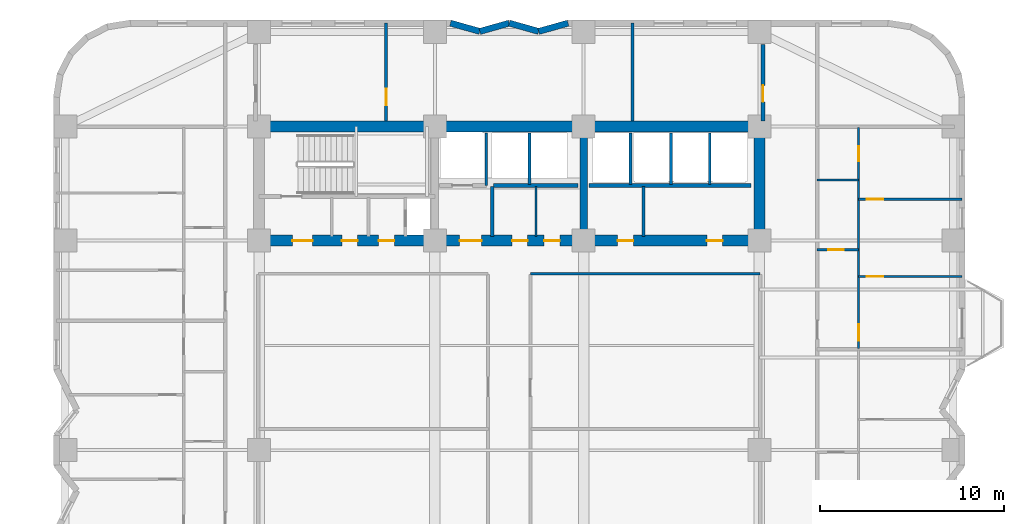
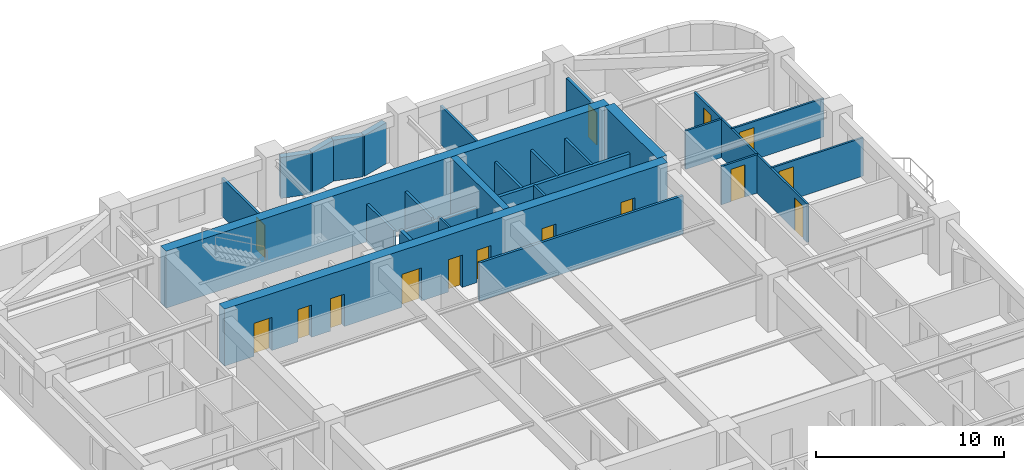
# One storey, part 7 of 10: 27 walls, 15 doors, 15 openings.
"""IFC4 building model written with IfcOpenShell, lengths in metres."""

from ifc_helpers import new_model, si_unit, direction, frame, frame_2d, origin, place, context, subcontext, project, spatial, rectangle, extrude, material, layer, layer_set, type_object, element, fill, save


model = new_model("IFC4")

# Units and contexts
model_context = context("Model", 3, precision=1e-05, world=origin(), true_north=direction((0.0, 1.0)))
body_context = subcontext(model_context, "Body", "Model", "MODEL_VIEW")
ifc_project = project(units=[si_unit("LENGTHUNIT", "METRE"), si_unit("AREAUNIT", "SQUARE_METRE"), si_unit("VOLUMEUNIT", "CUBIC_METRE"), si_unit("PLANEANGLEUNIT", "RADIAN"), si_unit("MASSUNIT", "GRAM", prefix="KILO")], contexts=[model_context])

# Site, building, storey
site_placement = place(None, origin())
site = spatial("IfcSite", under=ifc_project, at=site_placement, CompositionType="ELEMENT")
building_placement = place(site_placement, origin())
building = spatial("IfcBuilding", under=site, at=building_placement, Name="Svetorya Sky Lyceum", CompositionType="ELEMENT")
storey_placement = place(building_placement, frame((0.0, 0.0, 73.199951171875)))
storey = spatial("IfcBuildingStorey", under=building, at=storey_placement, Name="L18", CompositionType="ELEMENT", Elevation=73.199951171875)

# Walls
ifc_material_1 = material(Name="Concrete C40/50", Category="concrete")
ifc_layer_1 = layer(ifc_material_1, 0.39990234375)
ifc_layer_set_1 = layer_set([ifc_layer_1], Name="Concrete C40/50")
wall_type_1 = type_object("IfcWallType", Name="WL-CORE-400", PredefinedType="SHEAR", material=ifc_layer_set_1)
wall_1_placement = place(storey_placement, frame((43.25, 39.89990234375, 0.0), z_axis=(0.0, 0.0, 1.0), x_axis=(0.0, 1.0, 0.0)))
element("IfcWall", 1, at=wall_1_placement, inside=storey, type_object=wall_type_1, Name="L18 NC Internal Shear Web WEB2", PredefinedType="SHEAR", context=body_context, shape_type="SweptSolid", body=[
    extrude(rectangle(XDim=5.60009765625, YDim=0.39990234375, at=frame_2d((2.800048828125, 0.0))), origin(), (0.0, 0.0, 1.0), 3.699951171875),
])
ifc_material_2 = material(Name="Concrete C60/75", Category="concrete")
ifc_layer_2 = layer(ifc_material_2, 0.60009765625)
ifc_layer_set_2 = layer_set([ifc_layer_2], Name="Concrete C60/75")
wall_type_2 = type_object("IfcWallType", Name="WL-CORE-600", PredefinedType="SHEAR", material=ifc_layer_set_2)
wall_2_placement = place(storey_placement, frame((25.60009765625, 45.800048828125, 0.0), z_axis=(0.0, 0.0, 1.0), x_axis=(1.0, 0.0, 0.0)))
element("IfcWall", 2, at=wall_2_placement, inside=storey, type_object=wall_type_2, Name="L18 NC Outer Core Shear Wall", PredefinedType="SHEAR", context=body_context, shape_type="SweptSolid", body=[
    extrude(rectangle(XDim=27.199951171875, YDim=0.60009765625, at=frame_2d((13.60009765625, 0.0))), origin(), (0.0, 0.0, 1.0), 3.699951171875),
])
wall_3_placement = place(storey_placement, frame((52.800048828125, 39.89990234375, 0.0), z_axis=(0.0, 0.0, 1.0), x_axis=(0.0, 1.0, 0.0)))
element("IfcWall", 3, at=wall_3_placement, inside=storey, type_object=wall_type_2, Name="L18 NC East Core Shear Wall", PredefinedType="SHEAR", context=body_context, shape_type="SweptSolid", body=[
    extrude(rectangle(XDim=5.60009765625, YDim=0.60009765625, at=frame_2d((2.800048828125, 0.0))), origin(), (0.0, 0.0, 1.0), 3.699951171875),
])

# Wall, openings, doors
wall_4_placement = place(storey_placement, frame((52.800048828125, 39.60009765625, 0.0), z_axis=(0.0, 0.0, 1.0), x_axis=(-1.0, 0.0, 0.0)))
wall_4 = element("IfcWall", 4, at=wall_4_placement, inside=storey, type_object=wall_type_2, Name="L18 NC Inner Core Shear Wall", PredefinedType="SHEAR", context=body_context, shape_type="SweptSolid", body=[
    extrude(rectangle(XDim=27.199951171875, YDim=0.60009765625, at=frame_2d((13.60009765625, 0.0))), origin(), (0.0, 0.0, 1.0), 3.699951171875),
])
opening_1_placement = place(wall_4_placement, frame((24.300048828125, 0.0, 0.0)))
opening_1 = element("IfcOpeningElement", 5, at=opening_1_placement, cuts=wall_4, Name="Opening D-ST1", PredefinedType="OPENING", context=body_context, shape_type="SweptSolid", body=[
    extrude(rectangle(XDim=1.10009765625, YDim=2.14990234375, at=frame_2d((0.550048828125, 1.074951171875))), frame((0.0, 0.31005859375, 0.0), z_axis=(0.0, -1.0, 0.0), x_axis=(1.0, 0.0, 0.0)), (0.0, 0.0, 1.0), 0.6201171875),
])
opening_2_placement = place(wall_4_placement, frame((21.85009765625, 0.0, 0.0)))
opening_2 = element("IfcOpeningElement", 6, at=opening_2_placement, cuts=wall_4, Name="Opening D-CWC1", PredefinedType="OPENING", context=body_context, shape_type="SweptSolid", body=[
    extrude(rectangle(XDim=0.85009765625, YDim=2.10009765625, at=frame_2d((0.425048828125, 1.050048828125))), frame((0.0, 0.31005859375, 0.0), z_axis=(0.0, -1.0, 0.0), x_axis=(1.0, 0.0, 0.0)), (0.0, 0.0, 1.0), 0.6201171875),
])
opening_3_placement = place(wall_4_placement, frame((19.85009765625, 0.0, 0.0)))
opening_3 = element("IfcOpeningElement", 7, at=opening_3_placement, cuts=wall_4, Name="Opening D-CWC1", PredefinedType="OPENING", context=body_context, shape_type="SweptSolid", body=[
    extrude(rectangle(XDim=0.85009765625, YDim=2.10009765625, at=frame_2d((0.425048828125, 1.050048828125))), frame((0.0, 0.31005859375, 0.0), z_axis=(0.0, -1.0, 0.0), x_axis=(1.0, 0.0, 0.0)), (0.0, 0.0, 1.0), 0.6201171875),
])
opening_4_placement = place(wall_4_placement, frame((15.10009765625, 0.0, 0.0)))
opening_4 = element("IfcOpeningElement", 8, at=opening_4_placement, cuts=wall_4, Name="Opening D-FL1", PredefinedType="OPENING", context=body_context, shape_type="SweptSolid", body=[
    extrude(rectangle(XDim=1.199951171875, YDim=2.14990234375, at=frame_2d((0.60009765625, 1.074951171875))), frame((0.0, 0.31005859375, 0.0), z_axis=(0.0, -1.0, 0.0), x_axis=(1.0, 0.0, 0.0)), (0.0, 0.0, 1.0), 0.6201171875),
])
opening_5_placement = place(wall_4_placement, frame((12.60009765625, 0.0, 0.0)))
opening_5 = element("IfcOpeningElement", 9, at=opening_5_placement, cuts=wall_4, Name="Opening D-CWC1", PredefinedType="OPENING", context=body_context, shape_type="SweptSolid", body=[
    extrude(rectangle(XDim=0.85009765625, YDim=2.10009765625, at=frame_2d((0.425048828125, 1.050048828125))), frame((0.0, 0.31005859375, 0.0), z_axis=(0.0, -1.0, 0.0), x_axis=(1.0, 0.0, 0.0)), (0.0, 0.0, 1.0), 0.6201171875),
])
opening_6_placement = place(wall_4_placement, frame((10.85009765625, 0.0, 0.0)))
opening_6 = element("IfcOpeningElement", 10, at=opening_6_placement, cuts=wall_4, Name="Opening D-CWC1", PredefinedType="OPENING", context=body_context, shape_type="SweptSolid", body=[
    extrude(rectangle(XDim=0.85009765625, YDim=2.10009765625, at=frame_2d((0.425048828125, 1.050048828125))), frame((0.0, 0.31005859375, 0.0), z_axis=(0.0, -1.0, 0.0), x_axis=(1.0, 0.0, 0.0)), (0.0, 0.0, 1.0), 0.6201171875),
])
opening_7_placement = place(wall_4_placement, frame((6.85009765625, 0.0, 0.0)))
opening_7 = element("IfcOpeningElement", 11, at=opening_7_placement, cuts=wall_4, Name="Opening D-CWC1", PredefinedType="OPENING", context=body_context, shape_type="SweptSolid", body=[
    extrude(rectangle(XDim=0.85009765625, YDim=2.10009765625, at=frame_2d((0.425048828125, 1.050048828125))), frame((0.0, 0.31005859375, 0.0), z_axis=(0.0, -1.0, 0.0), x_axis=(1.0, 0.0, 0.0)), (0.0, 0.0, 1.0), 0.6201171875),
])
opening_8_placement = place(wall_4_placement, frame((2.0, 0.0, 0.0)))
opening_8 = element("IfcOpeningElement", 12, at=opening_8_placement, cuts=wall_4, Name="Opening D-CWC1", PredefinedType="OPENING", context=body_context, shape_type="SweptSolid", body=[
    extrude(rectangle(XDim=0.85009765625, YDim=2.10009765625, at=frame_2d((0.425048828125, 1.050048828125))), frame((0.0, 0.31005859375, 0.0), z_axis=(0.0, -1.0, 0.0), x_axis=(1.0, 0.0, 0.0)), (0.0, 0.0, 1.0), 0.6201171875),
])
ifc_material_3 = material(Name="Fire-rated galvanized steel core service closet door", Category="steel")
door_type_1 = type_object("IfcDoorType", Name="DR-CWET-850", OperationType="SINGLE_SWING_LEFT", PredefinedType="DOOR", material=ifc_material_3)
door_1_placement = place(opening_2_placement, origin())
door_1 = element("IfcDoor", 13, at=door_1_placement, inside=storey, type_object=door_type_1, Name="L18 North Cleaner Door", OperationType="SINGLE_SWING_RIGHT", OverallHeight=2.10009765625, OverallWidth=0.85009765625, PredefinedType="DOOR", context=body_context, shape_type="SweptSolid", body=[
    extrude(rectangle(XDim=0.85009765625, YDim=2.10009765625, at=frame_2d((0.425048828125, 1.050048828125))), frame((0.0, 0.02490234375, 0.0), z_axis=(0.0, -1.0, 0.0), x_axis=(1.0, 0.0, 0.0)), (0.0, 0.0, 1.0), 0.050048828125),
])
fill(opening_2, door_1)
door_2_placement = place(opening_3_placement, origin())
door_2 = element("IfcDoor", 14, at=door_2_placement, inside=storey, type_object=door_type_1, Name="L18 North Meter Door", OperationType="SINGLE_SWING_LEFT", OverallHeight=2.10009765625, OverallWidth=0.85009765625, PredefinedType="DOOR", context=body_context, shape_type="SweptSolid", body=[
    extrude(rectangle(XDim=0.85009765625, YDim=2.10009765625, at=frame_2d((0.425048828125, 1.050048828125))), frame((0.0, 0.02490234375, 0.0), z_axis=(0.0, -1.0, 0.0), x_axis=(1.0, 0.0, 0.0)), (0.0, 0.0, 1.0), 0.050048828125),
])
fill(opening_3, door_2)
door_3_placement = place(opening_5_placement, origin())
door_3 = element("IfcDoor", 15, at=door_3_placement, inside=storey, type_object=door_type_1, Name="L18 North BMS Door", OperationType="SINGLE_SWING_LEFT", OverallHeight=2.10009765625, OverallWidth=0.85009765625, PredefinedType="DOOR", context=body_context, shape_type="SweptSolid", body=[
    extrude(rectangle(XDim=0.85009765625, YDim=2.10009765625, at=frame_2d((0.425048828125, 1.050048828125))), frame((0.0, 0.02490234375, 0.0), z_axis=(0.0, -1.0, 0.0), x_axis=(1.0, 0.0, 0.0)), (0.0, 0.0, 1.0), 0.050048828125),
])
fill(opening_5, door_3)
door_4_placement = place(opening_6_placement, origin())
door_4 = element("IfcDoor", 16, at=door_4_placement, inside=storey, type_object=door_type_1, Name="L18 North Linen Door", OperationType="SINGLE_SWING_RIGHT", OverallHeight=2.10009765625, OverallWidth=0.85009765625, PredefinedType="DOOR", context=body_context, shape_type="SweptSolid", body=[
    extrude(rectangle(XDim=0.85009765625, YDim=2.10009765625, at=frame_2d((0.425048828125, 1.050048828125))), frame((0.0, 0.02490234375, 0.0), z_axis=(0.0, -1.0, 0.0), x_axis=(1.0, 0.0, 0.0)), (0.0, 0.0, 1.0), 0.050048828125),
])
fill(opening_6, door_4)
door_5_placement = place(opening_7_placement, origin())
door_5 = element("IfcDoor", 17, at=door_5_placement, inside=storey, type_object=door_type_1, Name="L18 North Electrical Door", OperationType="SINGLE_SWING_LEFT", OverallHeight=2.10009765625, OverallWidth=0.85009765625, PredefinedType="DOOR", context=body_context, shape_type="SweptSolid", body=[
    extrude(rectangle(XDim=0.85009765625, YDim=2.10009765625, at=frame_2d((0.425048828125, 1.050048828125))), frame((0.0, 0.02490234375, 0.0), z_axis=(0.0, -1.0, 0.0), x_axis=(1.0, 0.0, 0.0)), (0.0, 0.0, 1.0), 0.050048828125),
])
fill(opening_7, door_5)
door_6_placement = place(opening_8_placement, origin())
door_6 = element("IfcDoor", 18, at=door_6_placement, inside=storey, type_object=door_type_1, Name="L18 North Pram Door", OperationType="SINGLE_SWING_RIGHT", OverallHeight=2.10009765625, OverallWidth=0.85009765625, PredefinedType="DOOR", context=body_context, shape_type="SweptSolid", body=[
    extrude(rectangle(XDim=0.85009765625, YDim=2.10009765625, at=frame_2d((0.425048828125, 1.050048828125))), frame((0.0, 0.02490234375, 0.0), z_axis=(0.0, -1.0, 0.0), x_axis=(1.0, 0.0, 0.0)), (0.0, 0.0, 1.0), 0.050048828125),
])
fill(opening_8, door_6)
ifc_material_4 = material(Name="Powder-coated insulated galvanized stair fire door")
door_type_2 = type_object("IfcDoorType", Name="DR-FIRE-1100", OperationType="SINGLE_SWING_LEFT", PredefinedType="DOOR", material=ifc_material_4)
door_7_placement = place(opening_1_placement, origin())
door_7 = element("IfcDoor", 19, at=door_7_placement, inside=storey, type_object=door_type_2, Name="L18 North Stair Airlock Door", OperationType="SINGLE_SWING_LEFT", OverallHeight=2.14990234375, OverallWidth=1.10009765625, PredefinedType="DOOR", context=body_context, shape_type="SweptSolid", body=[
    extrude(rectangle(XDim=1.10009765625, YDim=2.14990234375, at=frame_2d((0.550048828125, 1.074951171875))), frame((0.0, 0.02490234375, 0.0), z_axis=(0.0, -1.0, 0.0), x_axis=(1.0, 0.0, 0.0)), (0.0, 0.0, 1.0), 0.050048828125),
])
fill(opening_1, door_7)
ifc_material_5 = material(Name="Powder-coated insulated galvanized fire door")
door_type_3 = type_object("IfcDoorType", Name="DR-FIRE-1200", OperationType="SINGLE_SWING_LEFT", PredefinedType="DOOR", material=ifc_material_5)
door_8_placement = place(opening_4_placement, origin())
door_8 = element("IfcDoor", 20, at=door_8_placement, inside=storey, type_object=door_type_3, Name="L18 North Firefighting Lift Lobby Door", OperationType="SINGLE_SWING_RIGHT", OverallHeight=2.14990234375, OverallWidth=1.199951171875, PredefinedType="DOOR", context=body_context, shape_type="SweptSolid", body=[
    extrude(rectangle(XDim=1.199951171875, YDim=2.14990234375, at=frame_2d((0.60009765625, 1.074951171875))), frame((0.0, 0.02490234375, 0.0), z_axis=(0.0, -1.0, 0.0), x_axis=(1.0, 0.0, 0.0)), (0.0, 0.0, 1.0), 0.050048828125),
])
fill(opening_4, door_8)

# Walls
ifc_material_6 = material(Name="Putilovo limestone rainscreen on autoclaved cellular masonry", Category="masonry")
ifc_layer_3 = layer(ifc_material_6, 0.340087890625)
ifc_layer_set_3 = layer_set([ifc_layer_3], Name="Putilovo limestone rainscreen on autoclaved cellular masonry")
wall_type_3 = type_object("IfcWallType", Name="WL-EXT-340", PredefinedType="SOLIDWALL", material=ifc_layer_set_3)
wall_5_placement = place(storey_placement, frame((42.39990234375, 51.429931640625, 0.0), z_axis=(0.0, 0.0, 1.0), x_axis=(-0.962652136636, -0.270741322725, 0.0)))
element("IfcWall", 21, at=wall_5_placement, inside=storey, type_object=wall_type_3, Name="L18 Limestone Exterior Wall 30M", PredefinedType="SOLIDWALL", context=body_context, shape_type="SweptSolid", body=[
    extrude(rectangle(XDim=1.661865234375, YDim=0.340087890625, at=frame_2d((0.8310546875, 0.0))), origin(), (0.0, 0.0, 1.0), 2.66015625),
])
wall_6_placement = place(storey_placement, frame((40.800048828125, 50.97998046875, 0.0), z_axis=(0.0, 0.0, 1.0), x_axis=(-0.962662902433, 0.270703040766, 0.0)))
element("IfcWall", 22, at=wall_6_placement, inside=storey, type_object=wall_type_3, Name="L18 Limestone Exterior Wall 31M", PredefinedType="SOLIDWALL", context=body_context, shape_type="SweptSolid", body=[
    extrude(rectangle(XDim=1.662109375, YDim=0.340087890625, at=frame_2d((0.8310546875, 0.0))), origin(), (0.0, 0.0, 1.0), 2.66015625),
])
wall_7_placement = place(storey_placement, frame((39.199951171875, 51.429931640625, 0.0), z_axis=(0.0, 0.0, 1.0), x_axis=(-0.962652136636, -0.270741322725, 0.0)))
element("IfcWall", 23, at=wall_7_placement, inside=storey, type_object=wall_type_3, Name="L18 Limestone Exterior Wall 32M", PredefinedType="SOLIDWALL", context=body_context, shape_type="SweptSolid", body=[
    extrude(rectangle(XDim=1.661865234375, YDim=0.340087890625, at=frame_2d((0.8310546875, 0.0))), origin(), (0.0, 0.0, 1.0), 2.66015625),
])
wall_8_placement = place(storey_placement, frame((37.60009765625, 50.97998046875, 0.0), z_axis=(0.0, 0.0, 1.0), x_axis=(-0.962662902433, 0.270703040766, 0.0)))
element("IfcWall", 24, at=wall_8_placement, inside=storey, type_object=wall_type_3, Name="L18 Limestone Exterior Wall 33M", PredefinedType="SOLIDWALL", context=body_context, shape_type="SweptSolid", body=[
    extrude(rectangle(XDim=1.662109375, YDim=0.340087890625, at=frame_2d((0.8310546875, 0.0))), origin(), (0.0, 0.0, 1.0), 2.66015625),
])
ifc_material_7 = material(Name="Twin-stud galvanized framing with double fireboard", Category="gypsum")
ifc_layer_4 = layer(ifc_material_7, 0.1201171875)
ifc_layer_set_4 = layer_set([ifc_layer_4], Name="Twin-stud galvanized framing with double fireboard")
wall_type_4 = type_object("IfcWallType", Name="WL-PART-120", PredefinedType="PARTITIONING", material=ifc_layer_set_4)
wall_9_placement = place(storey_placement, frame((40.64990234375, 39.820068359375, 0.0), z_axis=(0.0, 0.0, 1.0), x_axis=(0.0, 1.0, 0.0)))
element("IfcWall", 25, at=wall_9_placement, inside=storey, type_object=wall_type_4, Name="L18 Interior Partition NC-Z1D", PredefinedType="PARTITIONING", context=body_context, shape_type="SweptSolid", body=[
    extrude(rectangle(XDim=2.72998046875, YDim=0.1201171875, at=frame_2d((1.364990234375, 0.0))), origin(), (0.0, 0.0, 1.0), 2.489990234375),
])

# Wall, opening, door
wall_10_placement = place(storey_placement, frame((55.949951171875, 39.10009765625, 0.0), z_axis=(0.0, 0.0, 1.0), x_axis=(1.0, 0.0, 0.0)))
wall_10 = element("IfcWall", 26, at=wall_10_placement, inside=storey, type_object=wall_type_4, Name="L18 Interior Partition E3-WH1", PredefinedType="PARTITIONING", context=body_context, shape_type="SweptSolid", body=[
    extrude(rectangle(XDim=2.25, YDim=0.1201171875, at=frame_2d((1.125, 0.0))), origin(), (0.0, 0.0, 1.0), 2.489990234375),
])
opening_9_placement = place(wall_10_placement, frame((0.60009765625, 0.0, 0.0)))
opening_9 = element("IfcOpeningElement", 27, at=opening_9_placement, cuts=wall_10, Name="Opening D-BT1", PredefinedType="OPENING", context=body_context, shape_type="SweptSolid", body=[
    extrude(rectangle(XDim=0.85009765625, YDim=2.10009765625, at=frame_2d((0.425048828125, 1.050048828125))), frame((0.0, 0.070068359375, 0.0), z_axis=(0.0, -1.0, 0.0), x_axis=(1.0, 0.0, 0.0)), (0.0, 0.0, 1.0), 0.14013671875),
])
ifc_material_8 = material(Name="Moisture-resistant laminate bathroom door")
door_type_4 = type_object("IfcDoorType", Name="DR-WET-850", OperationType="SINGLE_SWING_LEFT", PredefinedType="DOOR", material=ifc_material_8)
door_9_placement = place(opening_9_placement, origin())
door_9 = element("IfcDoor", 28, at=door_9_placement, inside=storey, type_object=door_type_4, Name="Apartment E3 Bathroom Door", OperationType="SINGLE_SWING_RIGHT", OverallHeight=2.10009765625, OverallWidth=0.85009765625, PredefinedType="DOOR", context=body_context, shape_type="SweptSolid", body=[
    extrude(rectangle(XDim=0.85009765625, YDim=2.10009765625, at=frame_2d((0.425048828125, 1.050048828125))), frame((0.0, 0.02490234375, 0.0), z_axis=(0.0, -1.0, 0.0), x_axis=(1.0, 0.0, 0.0)), (0.0, 0.0, 1.0), 0.050048828125),
])
fill(opening_9, door_9)

# Wall
wall_11_placement = place(storey_placement, frame((55.949951171875, 42.89990234375, 0.0), z_axis=(0.0, 0.0, 1.0), x_axis=(1.0, 0.0, 0.0)))
element("IfcWall", 29, at=wall_11_placement, inside=storey, type_object=wall_type_4, Name="L18 Interior Partition E3-WH2", PredefinedType="PARTITIONING", context=body_context, shape_type="SweptSolid", body=[
    extrude(rectangle(XDim=2.25, YDim=0.1201171875, at=frame_2d((1.125, 0.0))), origin(), (0.0, 0.0, 1.0), 2.489990234375),
])

# Wall, opening, door
wall_12_placement = place(storey_placement, frame((58.199951171875, 37.64990234375, 0.0), z_axis=(0.0, 0.0, 1.0), x_axis=(1.0, 0.0, 0.0)))
wall_12 = element("IfcWall", 30, at=wall_12_placement, inside=storey, type_object=wall_type_4, Name="L18 Interior Partition E3-WL1", PredefinedType="PARTITIONING", context=body_context, shape_type="SweptSolid", body=[
    extrude(rectangle(XDim=5.630126953125, YDim=0.1201171875, at=frame_2d((2.81494140625, 0.0))), origin(), (0.0, 0.0, 1.0), 2.489990234375),
])
opening_10_placement = place(wall_12_placement, frame((0.449951171875, 0.0, 0.0)))
opening_10 = element("IfcOpeningElement", 31, at=opening_10_placement, cuts=wall_12, Name="Opening D-RM1", PredefinedType="OPENING", context=body_context, shape_type="SweptSolid", body=[
    extrude(rectangle(XDim=0.89990234375, YDim=2.10009765625, at=frame_2d((0.449951171875, 1.050048828125))), frame((0.0, 0.070068359375, 0.0), z_axis=(0.0, -1.0, 0.0), x_axis=(1.0, 0.0, 0.0)), (0.0, 0.0, 1.0), 0.14013671875),
])
ifc_material_9 = material(Name="Lacquered birch veneer internal door")
door_type_5 = type_object("IfcDoorType", Name="DR-INT-900", OperationType="SINGLE_SWING_LEFT", PredefinedType="DOOR", material=ifc_material_9)
door_10_placement = place(opening_10_placement, origin())
door_10 = element("IfcDoor", 32, at=door_10_placement, inside=storey, type_object=door_type_5, Name="Apartment E3 Master Bedroom Door", OperationType="SINGLE_SWING_RIGHT", OverallHeight=2.10009765625, OverallWidth=0.89990234375, PredefinedType="DOOR", context=body_context, shape_type="SweptSolid", body=[
    extrude(rectangle(XDim=0.89990234375, YDim=2.10009765625, at=frame_2d((0.449951171875, 1.050048828125))), frame((0.0, 0.02490234375, 0.0), z_axis=(0.0, -1.0, 0.0), x_axis=(1.0, 0.0, 0.0)), (0.0, 0.0, 1.0), 0.050048828125),
])
fill(opening_10, door_10)

wall_13_placement = place(storey_placement, frame((58.199951171875, 41.85009765625, 0.0), z_axis=(0.0, 0.0, 1.0), x_axis=(1.0, 0.0, 0.0)))
wall_13 = element("IfcWall", 33, at=wall_13_placement, inside=storey, type_object=wall_type_4, Name="L18 Interior Partition E3-WL2", PredefinedType="PARTITIONING", context=body_context, shape_type="SweptSolid", body=[
    extrude(rectangle(XDim=5.630126953125, YDim=0.1201171875, at=frame_2d((2.81494140625, 0.0))), origin(), (0.0, 0.0, 1.0), 2.489990234375),
])
opening_11_placement = place(wall_13_placement, frame((0.449951171875, 0.0, 0.0)))
opening_11 = element("IfcOpeningElement", 34, at=opening_11_placement, cuts=wall_13, Name="Opening D-RM1", PredefinedType="OPENING", context=body_context, shape_type="SweptSolid", body=[
    extrude(rectangle(XDim=0.89990234375, YDim=2.10009765625, at=frame_2d((0.449951171875, 1.050048828125))), frame((0.0, 0.070068359375, 0.0), z_axis=(0.0, -1.0, 0.0), x_axis=(1.0, 0.0, 0.0)), (0.0, 0.0, 1.0), 0.14013671875),
])
door_11_placement = place(opening_11_placement, origin())
door_11 = element("IfcDoor", 35, at=door_11_placement, inside=storey, type_object=door_type_5, Name="Apartment E3 Bedroom 2 Door", OperationType="SINGLE_SWING_LEFT", OverallHeight=2.10009765625, OverallWidth=0.89990234375, PredefinedType="DOOR", context=body_context, shape_type="SweptSolid", body=[
    extrude(rectangle(XDim=0.89990234375, YDim=2.10009765625, at=frame_2d((0.449951171875, 1.050048828125))), frame((0.0, 0.02490234375, 0.0), z_axis=(0.0, -1.0, 0.0), x_axis=(1.0, 0.0, 0.0)), (0.0, 0.0, 1.0), 0.050048828125),
])
fill(opening_11, door_11)

# Wall, openings, doors
wall_14_placement = place(storey_placement, frame((58.199951171875, 33.739990234375, 0.0), z_axis=(0.0, 0.0, 1.0), x_axis=(0.0, 1.0, 0.0)))
wall_14 = element("IfcWall", 36, at=wall_14_placement, inside=storey, type_object=wall_type_4, Name="L18 Interior Partition E3-WV", PredefinedType="PARTITIONING", context=body_context, shape_type="SweptSolid", body=[
    extrude(rectangle(XDim=12.02001953125, YDim=0.1201171875, at=frame_2d((6.010009765625, 0.0))), origin(), (0.0, 0.0, 1.0), 2.489990234375),
])
opening_12_placement = place(wall_14_placement, frame((0.409912109375, 0.0, 0.0)))
opening_12 = element("IfcOpeningElement", 37, at=opening_12_placement, cuts=wall_14, Name="Opening D-RM1", PredefinedType="OPENING", context=body_context, shape_type="SweptSolid", body=[
    extrude(rectangle(XDim=0.89990234375, YDim=2.10009765625, at=frame_2d((0.449951171875, 1.050048828125))), frame((0.0, 0.070068359375, 0.0), z_axis=(0.0, -1.0, 0.0), x_axis=(1.0, 0.0, 0.0)), (0.0, 0.0, 1.0), 0.14013671875),
])
opening_13_placement = place(wall_14_placement, frame((10.18505859375, 0.0, 0.0)))
opening_13 = element("IfcOpeningElement", 38, at=opening_13_placement, cuts=wall_14, Name="Opening D-BT2", PredefinedType="OPENING", context=body_context, shape_type="SweptSolid", body=[
    extrude(rectangle(XDim=0.820068359375, YDim=2.080078125, at=frame_2d((0.41015625, 1.0400390625))), frame((0.0, 0.070068359375, 0.0), z_axis=(0.0, -1.0, 0.0), x_axis=(1.0, 0.0, 0.0)), (0.0, 0.0, 1.0), 0.14013671875),
])
door_12_placement = place(opening_12_placement, origin())
door_12 = element("IfcDoor", 39, at=door_12_placement, inside=storey, type_object=door_type_5, Name="Apartment E3 Living Door", OperationType="SINGLE_SWING_LEFT", OverallHeight=2.10009765625, OverallWidth=0.89990234375, PredefinedType="DOOR", context=body_context, shape_type="SweptSolid", body=[
    extrude(rectangle(XDim=0.89990234375, YDim=2.10009765625, at=frame_2d((0.449951171875, 1.050048828125))), frame((0.0, 0.02490234375, 0.0), z_axis=(0.0, -1.0, 0.0), x_axis=(1.0, 0.0, 0.0)), (0.0, 0.0, 1.0), 0.050048828125),
])
fill(opening_12, door_12)
ifc_material_10 = material(Name="Compact moisture-resistant laminate closet door")
door_type_6 = type_object("IfcDoorType", Name="DR-WET-820", OperationType="SINGLE_SWING_LEFT", PredefinedType="DOOR", material=ifc_material_10)
door_13_placement = place(opening_13_placement, origin())
door_13 = element("IfcDoor", 40, at=door_13_placement, inside=storey, type_object=door_type_6, Name="Apartment E3 Study Door", OperationType="SINGLE_SWING_RIGHT", OverallHeight=2.080078125, OverallWidth=0.820068359375, PredefinedType="DOOR", context=body_context, shape_type="SweptSolid", body=[
    extrude(rectangle(XDim=0.820068359375, YDim=2.080078125, at=frame_2d((0.41015625, 1.0400390625))), frame((0.0, 0.02490234375, 0.0), z_axis=(0.0, -1.0, 0.0), x_axis=(1.0, 0.0, 0.0)), (0.0, 0.0, 1.0), 0.050048828125),
])
fill(opening_13, door_13)

# Walls
ifc_material_11 = material(Name="Autoclaved cellular masonry blockwork with acoustic render", Category="masonry")
ifc_layer_5 = layer(ifc_material_11, 0.14990234375)
ifc_layer_set_5 = layer_set([ifc_layer_5], Name="Autoclaved cellular masonry blockwork with acoustic render")
wall_type_5 = type_object("IfcWallType", Name="WL-PART-150", PredefinedType="PARTITIONING", material=ifc_layer_set_5)
wall_15_placement = place(storey_placement, frame((37.949951171875, 42.60009765625, 0.0), z_axis=(0.0, 0.0, 1.0), x_axis=(0.0, 1.0, 0.0)))
element("IfcWall", 41, at=wall_15_placement, inside=storey, type_object=wall_type_5, Name="L18 Interior Partition NC-FL1SIDE", PredefinedType="PARTITIONING", context=body_context, shape_type="SweptSolid", body=[
    extrude(rectangle(XDim=2.849853515625, YDim=0.14990234375, at=frame_2d((1.4248046875, 0.0))), origin(), (0.0, 0.0, 1.0), 2.489990234375),
])
for number, where, z_axis, x_axis, name in (
    (42, (40.300048828125, 42.64990234375, 0.0), (0.0, 0.0, 1.0), (0.0, 1.0, 0.0), "L18 Interior Partition NC-PM-D1"),
    (43, (45.800048828125, 42.64990234375, 0.0), (0.0, 0.0, 1.0), (0.0, 1.0, 0.0), "L18 Interior Partition NC-PM3-D"),
    (44, (48.0, 42.64990234375, 0.0), (0.0, 0.0, 1.0), (0.0, 1.0, 0.0), "L18 Interior Partition NC-PH-D1"),
    (45, (50.10009765625, 42.64990234375, 0.0), (0.0, 0.0, 1.0), (0.0, 1.0, 0.0), "L18 Interior Partition NC-PH-D2"),
):
    element("IfcWall", number, at=place(storey_placement, frame(where, z_axis=z_axis, x_axis=x_axis)), inside=storey, type_object=wall_type_5, Name=name, PredefinedType="PARTITIONING", context=body_context, shape_type="SweptSolid", body=[
        extrude(rectangle(XDim=2.800048828125, YDim=0.14990234375, at=frame_2d((1.39990234375, 0.0))), origin(), (0.0, 0.0, 1.0), 2.489990234375),
    ])
wall_16_placement = place(storey_placement, frame((46.5, 39.820068359375, 0.0), z_axis=(0.0, 0.0, 1.0), x_axis=(0.0, 1.0, 0.0)))
element("IfcWall", 46, at=wall_16_placement, inside=storey, type_object=wall_type_5, Name="L18 Interior Partition NC-ED1", PredefinedType="PARTITIONING", context=body_context, shape_type="SweptSolid", body=[
    extrude(rectangle(XDim=2.72998046875, YDim=0.14990234375, at=frame_2d((1.364990234375, 0.0))), origin(), (0.0, 0.0, 1.0), 2.489990234375),
])
wall_17_placement = place(storey_placement, frame((40.35009765625, 37.800048828125, 0.0), z_axis=(0.0, 0.0, 1.0), x_axis=(1.0, 0.0, 0.0)))
element("IfcWall", 47, at=wall_17_placement, inside=storey, type_object=wall_type_5, Name="L18 Interior Partition CN-MID-E", PredefinedType="PARTITIONING", context=body_context, shape_type="SweptSolid", body=[
    extrude(rectangle(XDim=12.5, YDim=0.14990234375, at=frame_2d((6.25, 0.0))), origin(), (0.0, 0.0, 1.0), 2.489990234375),
])

# Wall, opening, door
wall_18_placement = place(storey_placement, frame((32.5, 46.10009765625, 0.0), z_axis=(0.0, 0.0, 1.0), x_axis=(0.0, 1.0, 0.0)))
wall_18 = element("IfcWall", 48, at=wall_18_placement, inside=storey, type_object=wall_type_5, Name="L18 Interior Partition N-D1", PredefinedType="PARTITIONING", context=body_context, shape_type="SweptSolid", body=[
    extrude(rectangle(XDim=5.329833984375, YDim=0.14990234375, at=frame_2d((2.6650390625, 0.0))), origin(), (0.0, 0.0, 1.0), 2.489990234375),
])
opening_14_placement = place(wall_18_placement, frame((0.85009765625, 0.0, 0.0)))
opening_14 = element("IfcOpeningElement", 49, at=opening_14_placement, cuts=wall_18, Name="Opening D-RM1", PredefinedType="OPENING", context=body_context, shape_type="SweptSolid", body=[
    extrude(rectangle(XDim=0.89990234375, YDim=2.10009765625, at=frame_2d((0.449951171875, 1.050048828125))), frame((0.0, 0.0849609375, 0.0), z_axis=(0.0, -1.0, 0.0), x_axis=(1.0, 0.0, 0.0)), (0.0, 0.0, 1.0), 0.169921875),
])
door_14_placement = place(opening_14_placement, origin())
door_14 = element("IfcDoor", 50, at=door_14_placement, inside=storey, type_object=door_type_5, Name="L18 North Store Door", OperationType="SINGLE_SWING_RIGHT", OverallHeight=2.10009765625, OverallWidth=0.89990234375, PredefinedType="DOOR", context=body_context, shape_type="SweptSolid", body=[
    extrude(rectangle(XDim=0.89990234375, YDim=2.10009765625, at=frame_2d((0.449951171875, 1.050048828125))), frame((0.0, 0.02490234375, 0.0), z_axis=(0.0, -1.0, 0.0), x_axis=(1.0, 0.0, 0.0)), (0.0, 0.0, 1.0), 0.050048828125),
])
fill(opening_14, door_14)

# Walls
wall_19_placement = place(storey_placement, frame((45.89990234375, 46.10009765625, 0.0), z_axis=(0.0, 0.0, 1.0), x_axis=(0.0, 1.0, 0.0)))
element("IfcWall", 51, at=wall_19_placement, inside=storey, type_object=wall_type_5, Name="L18 Interior Partition N-D2", PredefinedType="PARTITIONING", context=body_context, shape_type="SweptSolid", body=[
    extrude(rectangle(XDim=5.329833984375, YDim=0.14990234375, at=frame_2d((2.6650390625, 0.0))), origin(), (0.0, 0.0, 1.0), 2.489990234375),
])
ifc_material_12 = material(Name="Autoclaved cellular masonry blockwork with gypsum plaster", Category="masonry")
ifc_layer_6 = layer(ifc_material_12, 0.199951171875)
ifc_layer_set_6 = layer_set([ifc_layer_6], Name="Autoclaved cellular masonry blockwork with gypsum plaster")
wall_type_6 = type_object("IfcWallType", Name="WL-PART-200", PredefinedType="PARTITIONING", material=ifc_layer_set_6)
wall_20_placement = place(storey_placement, frame((38.280029296875, 39.820068359375, 0.0), z_axis=(0.0, 0.0, 1.0), x_axis=(0.0, 1.0, 0.0)))
element("IfcWall", 52, at=wall_20_placement, inside=storey, type_object=wall_type_6, Name="L18 Interior Partition NC-FFLDIV", PredefinedType="PARTITIONING", context=body_context, shape_type="SweptSolid", body=[
    extrude(rectangle(XDim=2.72998046875, YDim=0.199951171875, at=frame_2d((1.364990234375, 0.0))), origin(), (0.0, 0.0, 1.0), 2.489990234375),
])
wall_21_placement = place(storey_placement, frame((42.949951171875, 42.60009765625, 0.0), z_axis=(0.0, 0.0, 1.0), x_axis=(-1.0, 0.0, 0.0)))
element("IfcWall", 53, at=wall_21_placement, inside=storey, type_object=wall_type_6, Name="L18 Interior Partition NC-PM12W", PredefinedType="PARTITIONING", context=body_context, shape_type="SweptSolid", body=[
    extrude(rectangle(XDim=4.599853515625, YDim=0.199951171875, at=frame_2d((2.2998046875, 0.0))), origin(), (0.0, 0.0, 1.0), 2.260009765625),
])
wall_22_placement = place(storey_placement, frame((52.35009765625, 42.60009765625, 0.0), z_axis=(0.0, 0.0, 1.0), x_axis=(-1.0, 0.0, 0.0)))
element("IfcWall", 54, at=wall_22_placement, inside=storey, type_object=wall_type_6, Name="L18 Interior Partition NC-PHEW", PredefinedType="PARTITIONING", context=body_context, shape_type="SweptSolid", body=[
    extrude(rectangle(XDim=8.800048828125, YDim=0.199951171875, at=frame_2d((4.39990234375, 0.0))), origin(), (0.0, 0.0, 1.0), 2.489990234375),
])

# Wall, opening, door
wall_23_placement = place(storey_placement, frame((53.0, 46.10009765625, 0.0), z_axis=(0.0, 0.0, 1.0), x_axis=(0.0, 1.0, 0.0)))
wall_23 = element("IfcWall", 55, at=wall_23_placement, inside=storey, type_object=wall_type_6, Name="L18 Interior Partition N-EE", PredefinedType="PARTITIONING", context=body_context, shape_type="SweptSolid", body=[
    extrude(rectangle(XDim=4.179931640625, YDim=0.199951171875, at=frame_2d((2.08984375, 0.0))), origin(), (0.0, 0.0, 1.0), 2.489990234375),
])
opening_15_placement = place(wall_23_placement, frame((1.050048828125, 0.0, 0.0)))
opening_15 = element("IfcOpeningElement", 56, at=opening_15_placement, cuts=wall_23, Name="Opening D-RM1", PredefinedType="OPENING", context=body_context, shape_type="SweptSolid", body=[
    extrude(rectangle(XDim=0.89990234375, YDim=2.10009765625, at=frame_2d((0.449951171875, 1.050048828125))), frame((0.0, 0.10986328125, 0.0), z_axis=(0.0, -1.0, 0.0), x_axis=(1.0, 0.0, 0.0)), (0.0, 0.0, 1.0), 0.219970703125),
])
door_15_placement = place(opening_15_placement, origin())
door_15 = element("IfcDoor", 57, at=door_15_placement, inside=storey, type_object=door_type_5, Name="L18 North Meeting Door", OperationType="SINGLE_SWING_LEFT", OverallHeight=2.10009765625, OverallWidth=0.89990234375, PredefinedType="DOOR", context=body_context, shape_type="SweptSolid", body=[
    extrude(rectangle(XDim=0.89990234375, YDim=2.10009765625, at=frame_2d((0.449951171875, 1.050048828125))), frame((0.0, 0.02490234375, 0.0), z_axis=(0.0, -1.0, 0.0), x_axis=(1.0, 0.0, 0.0)), (0.0, 0.0, 1.0), 0.050048828125),
])
fill(opening_15, door_15)

save(model, "model.ifc")
